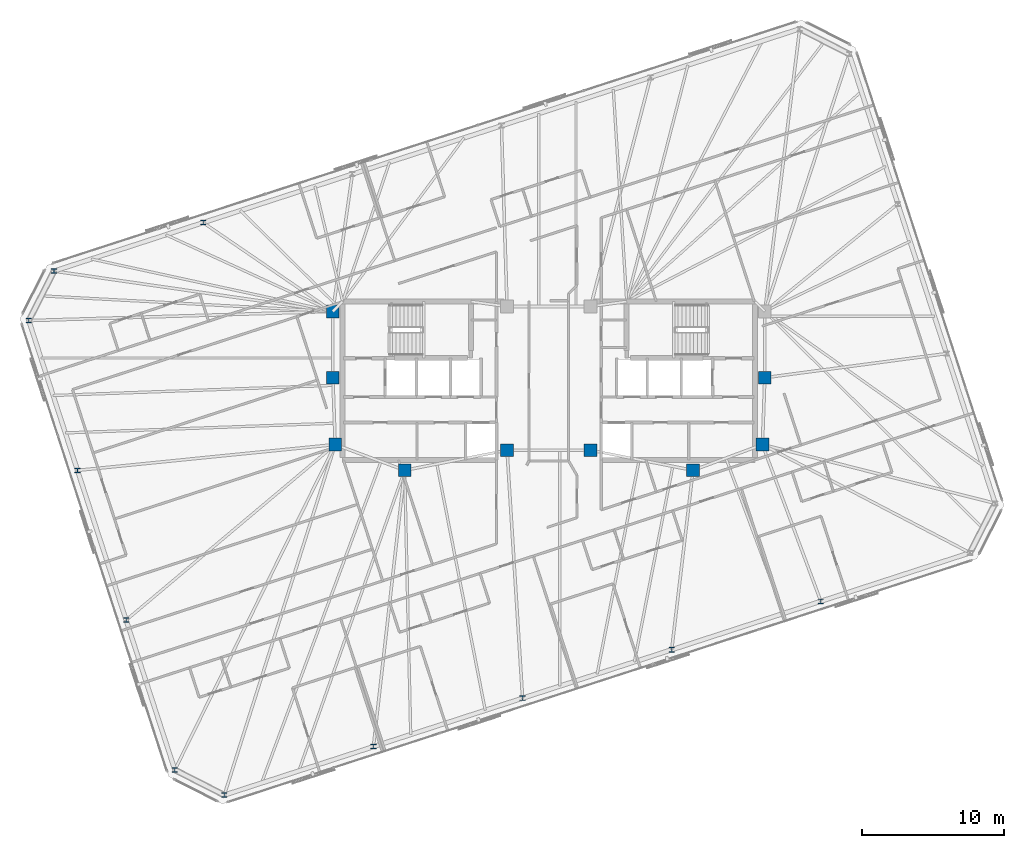
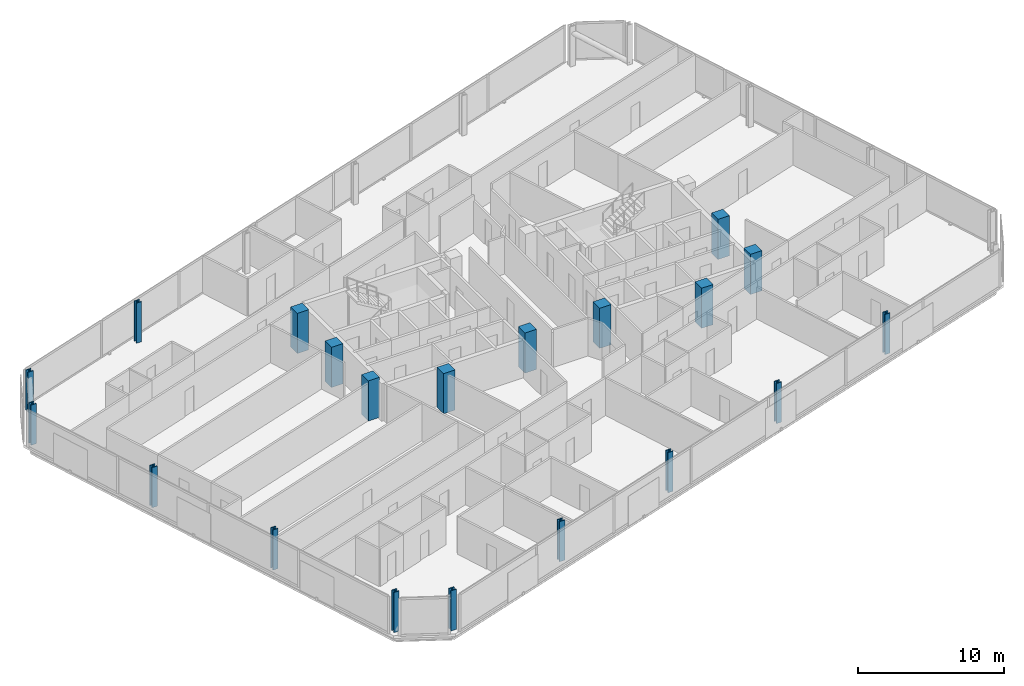
# One storey, part 1 of 19: 20 columns.
"""IFC4 building model written with IfcOpenShell, lengths in metres."""

from ifc_helpers import new_model, si_unit, direction, frame, origin, origin_2d, place, context, subcontext, project, spatial, rectangle, i_section, extrude, material, material_profile, profile_set, type_object, element, save


model = new_model("IFC4")

# Units and contexts
model_context = context("Model", 3, precision=1e-05, world=origin(), true_north=direction((0.0, 1.0)))
body_context = subcontext(model_context, "Body", "Model", "MODEL_VIEW")
ifc_project = project(units=[si_unit("LENGTHUNIT", "METRE"), si_unit("AREAUNIT", "SQUARE_METRE"), si_unit("VOLUMEUNIT", "CUBIC_METRE"), si_unit("PLANEANGLEUNIT", "RADIAN"), si_unit("MASSUNIT", "GRAM", prefix="KILO")], contexts=[model_context])

# Site, building, storey
site_placement = place(None, origin())
site = spatial("IfcSite", under=ifc_project, at=site_placement, CompositionType="ELEMENT")
building_placement = place(site_placement, origin())
building = spatial("IfcBuilding", under=site, at=building_placement, Name="Menara Jurai Vektor", CompositionType="ELEMENT")
storey_placement = place(building_placement, frame((0.0, 0.0, 241.050048828125)))
storey = spatial("IfcBuildingStorey", under=building, at=storey_placement, Name="L64", CompositionType="ELEMENT", Elevation=241.050048828125)

# Columns
ifc_material_1 = material(Name="Concrete C50/60", Category="concrete")
ifc_material_profile_1 = material_profile(ifc_material_1, rectangle(XDim=0.89990234375, YDim=0.89990234375, at=origin_2d()), Name="RC 900x900")
ifc_profile_set_1 = profile_set([ifc_material_profile_1], Name="Concrete C50/60")
column_type_1 = type_object("IfcColumnType", Name="STR-COL-RC900", PredefinedType="COLUMN", material=ifc_profile_set_1)
for number, where, z_axis, x_axis, name in (
    (1, (-15.25, 4.89990234375, 0.0), (0.0, 0.0, 1.0), (1.0, 0.0, 0.0), "Core Spine Column CW-NW L64"),
    (2, (-15.25, 0.219970703125, 0.0), (0.0, 0.0, 1.0), (1.0, 0.0, 0.0), "Core Spine Column CW-WM L64"),
    (3, (-15.080078125, -4.5, 0.0), (0.0, 0.0, 1.0), (1.0, 0.0, 0.0), "Core Spine Column CW-SW L64"),
    (4, (-10.179931640625, -6.320068359375, 0.0), (0.0, 0.0, 1.0), (1.0, 0.0, 0.0), "Core Spine Column CW-SM L64"),
    (5, (-2.949951171875, -4.89990234375, 0.0), (0.0, 0.0, 1.0), (1.0, 0.0, 0.0), "Core Spine Column CW-SE L64"),
    (6, (15.25, 0.219970703125, 0.0), (0.0, 0.0, 1.0), (1.0, 0.0, 0.0), "Core Spine Column CE-EM L64"),
    (7, (15.080078125, -4.5, 0.0), (0.0, 0.0, 1.0), (1.0, 0.0, 0.0), "Core Spine Column CE-SE L64"),
    (8, (10.179931640625, -6.320068359375, 0.0), (0.0, 0.0, 1.0), (1.0, 0.0, 0.0), "Core Spine Column CE-SM L64"),
    (9, (2.949951171875, -4.89990234375, 0.0), (0.0, 0.0, 1.0), (1.0, 0.0, 0.0), "Core Spine Column CE-SW L64"),
):
    element("IfcColumn", number, at=place(storey_placement, frame(where, z_axis=z_axis, x_axis=x_axis)), inside=storey, type_object=column_type_1, Name=name, PredefinedType="COLUMN", context=body_context, shape_type="SweptSolid", body=[
        extrude(rectangle(XDim=0.89990234375, YDim=0.89990234375, at=origin_2d()), origin(), (0.0, 0.0, 1.0), 3.349853515625),
    ])
ifc_material_2 = material(Name="Steel S460", Category="steel")
ifc_material_profile_2 = material_profile(ifc_material_2, i_section(OverallWidth=0.405029296875, OverallDepth=0.35498046875, WebThickness=0.0419921875, FlangeThickness=0.068115234375, FilletRadius=0.014892578125, at=origin_2d()), Name="HD 400x551")
ifc_profile_set_2 = profile_set([ifc_material_profile_2], Name="Steel S460")
column_type_2 = type_object("IfcColumnType", Name="STR-EXO-BLK4", PredefinedType="COLUMN", material=ifc_profile_set_2)
for number, where, z_axis, x_axis, name in (
    (10, (-22.912841796875, -29.2509765625, 0.0), (0.0, 0.0, 1.0), (1.0, 0.0, 0.0), "Exoskeleton Column BLK4-S1 L64"),
    (11, (-12.383544921875, -25.829833984375, 0.0), (0.0, 0.0, 1.0), (1.0, 0.0, 0.0), "Exoskeleton Column BLK4-S2 L64"),
    (12, (-1.854248046875, -22.40869140625, 0.0), (0.0, 0.0, 1.0), (1.0, 0.0, 0.0), "Exoskeleton Column BLK4-S3 L64"),
    (13, (8.675048828125, -18.987548828125, 0.0), (0.0, 0.0, 1.0), (1.0, 0.0, 0.0), "Exoskeleton Column BLK4-S4 L64"),
    (14, (19.204345703125, -15.56640625, 0.0), (0.0, 0.0, 1.0), (1.0, 0.0, 0.0), "Exoskeleton Column BLK4-S5 L64"),
    (15, (-24.404296875, 11.166259765625, 0.0), (0.0, 0.0, 1.0), (1.0, 0.0, 0.0), "Exoskeleton Column BLK4-N5 L64"),
    (16, (-34.93359375, 7.7451171875, 0.0), (0.0, 0.0, 1.0), (1.0, 0.0, 0.0), "Exoskeleton Column BLK4-N6 L64"),
    (17, (-36.71337890625, 4.251953125, 0.0), (0.0, 0.0, 1.0), (1.0, 0.0, 0.0), "Exoskeleton Column BLK4-W1 L64"),
    (18, (-33.277587890625, -6.322265625, 0.0), (0.0, 0.0, 1.0), (1.0, 0.0, 0.0), "Exoskeleton Column BLK4-W2 L64"),
    (19, (-29.841796875, -16.896728515625, 0.0), (0.0, 0.0, 1.0), (1.0, 0.0, 0.0), "Exoskeleton Column BLK4-W3 L64"),
    (20, (-26.406005859375, -27.47119140625, 0.0), (0.0, 0.0, 1.0), (1.0, 0.0, 0.0), "Exoskeleton Column BLK4-W4 L64"),
):
    element("IfcColumn", number, at=place(storey_placement, frame(where, z_axis=z_axis, x_axis=x_axis)), inside=storey, type_object=column_type_2, Name=name, PredefinedType="COLUMN", context=body_context, shape_type="SweptSolid", body=[
        extrude(i_section(OverallWidth=0.405029296875, OverallDepth=0.35498046875, WebThickness=0.0419921875, FlangeThickness=0.068115234375, FilletRadius=0.014892578125, at=origin_2d()), origin(), (0.0, 0.0, 1.0), 3.349853515625),
    ])

save(model, "model.ifc")
